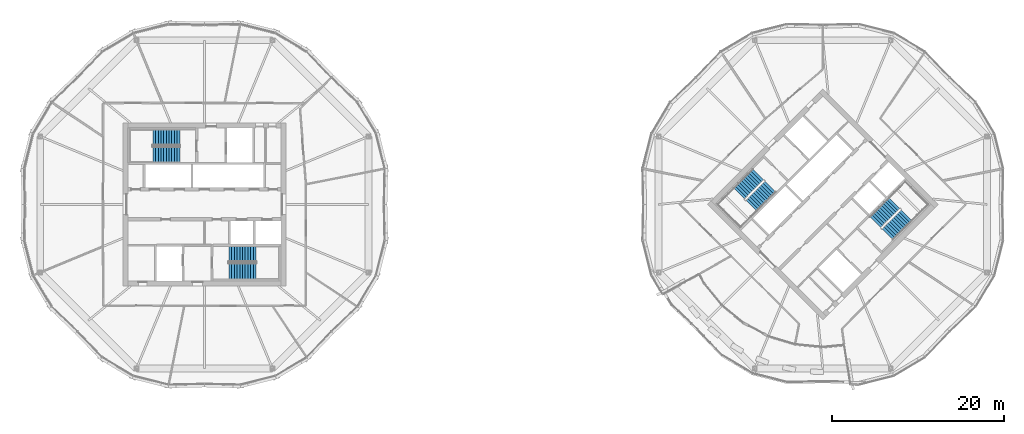
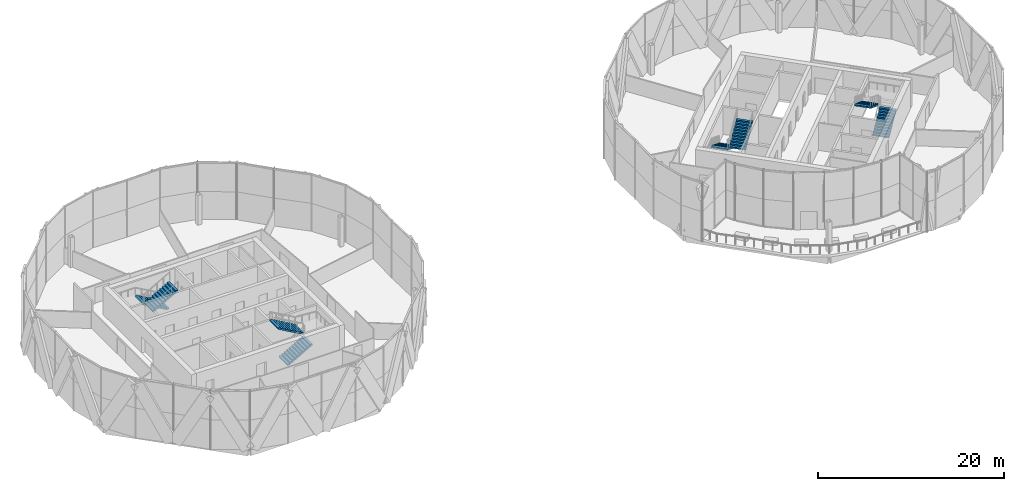
# One storey, part 22 of 26: 8 stair flights, 4 elements without a shape of their own.
"""IFC4 building model written with IfcOpenShell, lengths in metres."""

import ifcopenshell
import ifcopenshell.guid

model = None  # the IFC model being written
_history = None  # IfcOwnerHistory: only IFC2X3 demands one
_inside = {}  # id of a spatial element -> (the spatial element, [elements in it])
_under = {}  # id of a project, library or spatial element -> (it, [spatial elements below it])
_declared = {}  # id of a project -> (the project, [libraries it declares])
_typed = {}  # id of a type object -> (the type object, [elements of that type])
_made_of = {}  # id of a material, layer set ... -> (it, [elements and type objects made of it])


def new_model(schema):
    """Start an empty IFC model of exactly this schema.

    Asked for "IFC4X3", IfcOpenShell would pick the latest addendum, in which some entities
    have other attributes; the version numbers below select the first issue.
    IFC2X3 requires an IfcOwnerHistory on every rooted entity: one is made here for all.
    """
    global model, _history
    if schema == "IFC4X3":
        model = ifcopenshell.file(schema_version=(4, 3, 0, 0))
    else:
        model = ifcopenshell.file(schema=schema)
    _inside.clear()
    _under.clear()
    _declared.clear()
    _typed.clear()
    _made_of.clear()
    _history = None
    if model.schema == "IFC2X3":
        org = make("IfcOrganization", Name="unknown")
        user = make(
            "IfcPersonAndOrganization",
            ThePerson=make("IfcPerson", FamilyName="unknown"),
            TheOrganization=org,
        )
        app = make(
            "IfcApplication",
            ApplicationDeveloper=org,
            Version="unknown",
            ApplicationFullName="unknown",
            ApplicationIdentifier="unknown",
        )
        _history = make(
            "IfcOwnerHistory",
            OwningUser=user,
            OwningApplication=app,
            ChangeAction="ADDED",
            CreationDate=0,
        )
    return model


def make(cls, **values):
    """One entity of the class cls with the attributes given. An attribute that is None is left unset."""
    return model.create_entity(
        cls, **{name: value for name, value in values.items() if value is not None}
    )


def rooted(cls, **values):
    """An entity with a GlobalId (a new one), such as an element, a storey or a relation."""
    return make(cls, GlobalId=ifcopenshell.guid.new(), OwnerHistory=_history, **values)


def si_unit(unit_type, name, prefix=None):
    """IfcSIUnit, for example si_unit("LENGTHUNIT", "METRE", prefix="MILLI")."""
    return make("IfcSIUnit", UnitType=unit_type, Prefix=prefix, Name=name)


def assignment(units):
    """IfcUnitAssignment: the units of a project."""
    return None if units is None else make("IfcUnitAssignment", Units=units)


def point(xyz):
    """IfcCartesianPoint."""
    return None if xyz is None else make("IfcCartesianPoint", Coordinates=xyz)


def direction(xyz):
    """IfcDirection."""
    return None if xyz is None else make("IfcDirection", DirectionRatios=xyz)


def frame(location, z_axis=None, x_axis=None):
    """IfcAxis2Placement3D, a coordinate frame: its origin and axes. An axis left out is left unset."""
    return make(
        "IfcAxis2Placement3D",
        Location=point(location),
        Axis=direction(z_axis),
        RefDirection=direction(x_axis),
    )


def origin():
    """The frame at (0, 0, 0) with its axes left unset."""
    return frame((0.0, 0.0, 0.0))


def place(relative_to, where):
    """IfcLocalPlacement: puts the frame where relative to a parent placement (None: the world)."""
    return make(
        "IfcLocalPlacement", PlacementRelTo=relative_to, RelativePlacement=where
    )


def context(
    kind, dimensions, precision=None, world=None, true_north=None, identifier=None
):
    """IfcGeometricRepresentationContext, for example the 3D "Model" context."""
    return make(
        "IfcGeometricRepresentationContext",
        ContextIdentifier=identifier,
        ContextType=kind,
        CoordinateSpaceDimension=dimensions,
        Precision=precision,
        WorldCoordinateSystem=world,
        TrueNorth=true_north,
    )


def subcontext(parent, identifier, kind, view, scale=None):
    """IfcGeometricRepresentationSubContext, for example "Body" below "Model"."""
    return make(
        "IfcGeometricRepresentationSubContext",
        ContextIdentifier=identifier,
        ContextType=kind,
        ParentContext=parent,
        TargetScale=scale,
        TargetView=view,
    )


def project(units=None, contexts=None):
    """IfcProject with its units and contexts."""
    return rooted(
        "IfcProject",
        Name="project",
        RepresentationContexts=contexts,
        UnitsInContext=assignment(units),
    )


def spatial(cls, under=None, at=None, **own):
    """A site, building, storey or space (cls), placed at a placement, below another one or the project."""
    s = rooted(cls, ObjectPlacement=at, **own)
    if under is not None:
        _under.setdefault(under.id(), (under, []))[1].append(s)
    return s


def polyline(points):
    """IfcPolyline through the points."""
    return make("IfcPolyline", Points=[point(p) for p in points])


def outline(outer, holes=None, kind="AREA"):
    """IfcArbitraryClosedProfileDef: a profile drawn as a closed curve; with holes, ...WithVoids."""
    if holes is None:
        return make("IfcArbitraryClosedProfileDef", ProfileType=kind, OuterCurve=outer)
    return make(
        "IfcArbitraryProfileDefWithVoids",
        ProfileType=kind,
        OuterCurve=outer,
        InnerCurves=holes,
    )


def extrude(swept, where, along, depth):
    """IfcExtrudedAreaSolid: the profile swept, set in the frame where, extruded along a direction by depth."""
    return make(
        "IfcExtrudedAreaSolid",
        SweptArea=swept,
        Position=where,
        ExtrudedDirection=direction(along),
        Depth=depth,
    )


def shape(context_of_items, identifier, shape_type, items):
    """IfcShapeRepresentation: the items that make up one representation, for example the "Body"."""
    return make(
        "IfcShapeRepresentation",
        ContextOfItems=context_of_items,
        RepresentationIdentifier=identifier,
        RepresentationType=shape_type,
        Items=items,
    )


def material(Name=None, Category=None):
    """IfcMaterial."""
    return make("IfcMaterial", Name=Name, Category=Category)


def made_of(thing, what):
    """Note that an element or type object is made of a material, layer set ...; save() writes the relation."""
    if what is not None:
        _made_of.setdefault(what.id(), (what, []))[1].append(thing)
    return thing


def type_object(cls, material=None, **own):
    """A type object (cls), such as IfcWallType, which elements share."""
    return made_of(rooted(cls, **own), material)


def element(
    cls,
    number,
    at=None,
    inside=None,
    cuts=None,
    type_object=None,
    material=None,
    context=None,
    identifier="Body",
    shape_type=None,
    held_by="IfcProductDefinitionShape",
    body=None,
    shapes=None,
    **own,
):
    """One element of the class cls, such as IfcWall. Its Tag is "e" and its number.

    at: its placement. inside: the storey or other place that contains it. cuts: it is an
    opening in that element (IfcRelVoidsElement). A single representation is given by context,
    identifier, shape_type and body (its items); several are given by shapes. held_by: the class
    of the entity that holds the representations. save() writes the other relations.
    """
    e = rooted(cls, Tag="e%d" % number, ObjectPlacement=at, **own)
    if body is not None:
        shapes = [shape(context, identifier, shape_type, body)]
    if shapes is not None:
        e.Representation = make(held_by, Representations=shapes)
    if inside is not None:
        _inside.setdefault(inside.id(), (inside, []))[1].append(e)
    if cuts is not None:
        rooted(
            "IfcRelVoidsElement", RelatingBuildingElement=cuts, RelatedOpeningElement=e
        )
    if type_object is not None:
        _typed.setdefault(type_object.id(), (type_object, []))[1].append(e)
    return made_of(e, material)


def aggregate(whole, parts):
    """IfcRelAggregates: a whole, such as a stair, and the parts it consists of."""
    return rooted("IfcRelAggregates", RelatingObject=whole, RelatedObjects=parts)


def save(model, path):
    """Write the relations noted so far, then the file.

    IfcRelAggregates (storeys below a building ...), IfcRelContainedInSpatialStructure (elements
    in a storey), IfcRelDefinesByType, IfcRelAssociatesMaterial and IfcRelDeclares: one each for
    every whole, place, type object, material and project.
    """
    for whole, parts in _under.values():
        aggregate(whole, parts)
    for where, things in _inside.values():
        rooted(
            "IfcRelContainedInSpatialStructure",
            RelatedElements=things,
            RelatingStructure=where,
        )
    for kind, things in _typed.values():
        rooted("IfcRelDefinesByType", RelatedObjects=things, RelatingType=kind)
    for what, things in _made_of.values():
        rooted("IfcRelAssociatesMaterial", RelatedObjects=things, RelatingMaterial=what)
    for by, libraries in _declared.values():
        rooted("IfcRelDeclares", RelatingContext=by, RelatedDefinitions=libraries)
    model.write(path)


model = new_model("IFC4")

# Units and contexts
model_context = context("Model", 3, precision=1e-05, world=origin(), true_north=direction((0.0, 1.0)))
body_context = subcontext(model_context, "Body", "Model", "MODEL_VIEW")
ifc_project = project(units=[si_unit("LENGTHUNIT", "METRE"), si_unit("AREAUNIT", "SQUARE_METRE"), si_unit("VOLUMEUNIT", "CUBIC_METRE"), si_unit("PLANEANGLEUNIT", "RADIAN"), si_unit("MASSUNIT", "GRAM", prefix="KILO")], contexts=[model_context])

# Site, building, storey
site_placement = place(None, origin())
site = spatial("IfcSite", under=ifc_project, at=site_placement, CompositionType="ELEMENT")
building_placement = place(site_placement, origin())
building = spatial("IfcBuilding", under=site, at=building_placement, Name="Ogive Gate Towers", CompositionType="ELEMENT")
storey_placement = place(building_placement, frame((0.0, 0.0, 208.5)))
storey = spatial("IfcBuildingStorey", under=building, at=storey_placement, Name="L50", CompositionType="ELEMENT", Elevation=208.5)

# Stair, stair flights
ifc_material = material(Name="Concrete C40/50", Category="concrete")
stair_type = type_object("IfcStairType", Name="Escape stair 1840 wide", PredefinedType="HALF_TURN_STAIR", material=ifc_material)
stair_1_placement = place(storey_placement, origin())
stair_1 = element("IfcStair", 1, at=stair_1_placement, inside=storey, type_object=stair_type, Name="L50 Escape stair 1", PredefinedType="HALF_TURN_STAIR")
stair_flight_type = type_object("IfcStairFlightType", Name="Stair flight 1840 wide", PredefinedType="STRAIGHT", material=ifc_material)
stair_flight_1_placement = place(storey_placement, frame((-38.864990234375, 7.780029296875, 0.0), z_axis=(0.0, 0.0, 1.0), x_axis=(-1.0, 0.0, 0.0)))
stair_flight_1 = element("IfcStairFlight", 2, at=stair_flight_1_placement, type_object=stair_flight_type, Name="ST1 flight 1", NumberOfRisers=11, NumberOfTreads=10, PredefinedType="STRAIGHT", RiserHeight=0.177272727, TreadLength=0.313636364, context=body_context, shape_type="SweptSolid", body=[
    extrude(outline(polyline([(0.0, 0.0), (0.0, 0.17724609375), (0.313720703125, 0.17724609375), (0.313720703125, 0.3544921875), (0.627197265625, 0.3544921875), (0.627197265625, 0.53173828125), (0.94091796875, 0.53173828125), (0.94091796875, 0.708984375), (1.254638671875, 0.708984375), (1.254638671875, 0.886474609375), (1.568115234375, 0.886474609375), (1.568115234375, 1.063720703125), (1.8818359375, 1.063720703125), (1.8818359375, 1.240966796875), (2.195556640625, 1.240966796875), (2.195556640625, 1.418212890625), (2.509033203125, 1.418212890625), (2.509033203125, 1.595458984375), (2.82275390625, 1.595458984375), (2.82275390625, 1.772705078125), (3.136474609375, 1.772705078125), (3.136474609375, 1.949951171875), (3.136474609375, 1.6005859375), (0.3046875, 0.0), (0.0, 0.0)])), frame((0.0, 0.919921875, 0.0), z_axis=(0.0, -1.0, 0.0), x_axis=(1.0, 0.0, 0.0)), (0.0, 0.0, 1.0), 1.840087890625),
])
stair_flight_2_placement = place(storey_placement, frame((-42.00146484375, 5.794921875, 1.949951171875), z_axis=(0.0, 0.0, 1.0), x_axis=(1.0, 0.0, 0.0)))
stair_flight_2 = element("IfcStairFlight", 3, at=stair_flight_2_placement, type_object=stair_flight_type, Name="ST1 flight 2", NumberOfRisers=11, NumberOfTreads=10, PredefinedType="STRAIGHT", RiserHeight=0.177272727, TreadLength=0.313636364, context=body_context, shape_type="SweptSolid", body=[
    extrude(outline(polyline([(0.0, 0.0), (0.0, 0.17724609375), (0.313720703125, 0.17724609375), (0.313720703125, 0.3544921875), (0.627197265625, 0.3544921875), (0.627197265625, 0.53173828125), (0.94091796875, 0.53173828125), (0.94091796875, 0.708984375), (1.254638671875, 0.708984375), (1.254638671875, 0.886474609375), (1.568115234375, 0.886474609375), (1.568115234375, 1.063720703125), (1.8818359375, 1.063720703125), (1.8818359375, 1.240966796875), (2.195556640625, 1.240966796875), (2.195556640625, 1.418212890625), (2.509033203125, 1.418212890625), (2.509033203125, 1.595458984375), (2.82275390625, 1.595458984375), (2.82275390625, 1.772705078125), (3.136474609375, 1.772705078125), (3.136474609375, 1.949951171875), (3.136474609375, 1.6005859375), (0.3046875, 0.0), (0.0, 0.0)])), frame((0.0, 0.919921875, 0.0), z_axis=(0.0, -1.0, 0.0), x_axis=(1.0, 0.0, 0.0)), (0.0, 0.0, 1.0), 1.840087890625),
])
aggregate(stair_1, [stair_flight_1, stair_flight_2])

stair_2_placement = place(storey_placement, origin())
stair_2 = element("IfcStair", 4, at=stair_2_placement, inside=storey, type_object=stair_type, Name="L50 Escape stair 2", PredefinedType="HALF_TURN_STAIR")
stair_flight_3_placement = place(storey_placement, frame((-33.135009765625, -7.780029296875, 0.0), z_axis=(0.0, 0.0, 1.0), x_axis=(1.0, 0.0, 0.0)))
stair_flight_3 = element("IfcStairFlight", 5, at=stair_flight_3_placement, type_object=stair_flight_type, Name="ST2 flight 1", NumberOfRisers=11, NumberOfTreads=10, PredefinedType="STRAIGHT", RiserHeight=0.177272727, TreadLength=0.313636364, context=body_context, shape_type="SweptSolid", body=[
    extrude(outline(polyline([(0.0, 0.0), (0.0, 0.17724609375), (0.313720703125, 0.17724609375), (0.313720703125, 0.3544921875), (0.627197265625, 0.3544921875), (0.627197265625, 0.53173828125), (0.94091796875, 0.53173828125), (0.94091796875, 0.708984375), (1.254638671875, 0.708984375), (1.254638671875, 0.886474609375), (1.568115234375, 0.886474609375), (1.568115234375, 1.063720703125), (1.8818359375, 1.063720703125), (1.8818359375, 1.240966796875), (2.195556640625, 1.240966796875), (2.195556640625, 1.418212890625), (2.509033203125, 1.418212890625), (2.509033203125, 1.595458984375), (2.82275390625, 1.595458984375), (2.82275390625, 1.772705078125), (3.136474609375, 1.772705078125), (3.136474609375, 1.949951171875), (3.136474609375, 1.6005859375), (0.3046875, 0.0), (0.0, 0.0)])), frame((0.0, 0.919921875, 0.0), z_axis=(0.0, -1.0, 0.0), x_axis=(1.0, 0.0, 0.0)), (0.0, 0.0, 1.0), 1.840087890625),
])
stair_flight_4_placement = place(storey_placement, frame((-29.99853515625, -5.794921875, 1.949951171875), z_axis=(0.0, 0.0, 1.0), x_axis=(-1.0, 0.0, 0.0)))
stair_flight_4 = element("IfcStairFlight", 6, at=stair_flight_4_placement, type_object=stair_flight_type, Name="ST2 flight 2", NumberOfRisers=11, NumberOfTreads=10, PredefinedType="STRAIGHT", RiserHeight=0.177272727, TreadLength=0.313636364, context=body_context, shape_type="SweptSolid", body=[
    extrude(outline(polyline([(0.0, 0.0), (0.0, 0.17724609375), (0.313720703125, 0.17724609375), (0.313720703125, 0.3544921875), (0.627197265625, 0.3544921875), (0.627197265625, 0.53173828125), (0.94091796875, 0.53173828125), (0.94091796875, 0.708984375), (1.254638671875, 0.708984375), (1.254638671875, 0.886474609375), (1.568115234375, 0.886474609375), (1.568115234375, 1.063720703125), (1.8818359375, 1.063720703125), (1.8818359375, 1.240966796875), (2.195556640625, 1.240966796875), (2.195556640625, 1.418212890625), (2.509033203125, 1.418212890625), (2.509033203125, 1.595458984375), (2.82275390625, 1.595458984375), (2.82275390625, 1.772705078125), (3.136474609375, 1.772705078125), (3.136474609375, 1.949951171875), (3.136474609375, 1.6005859375), (0.3046875, 0.0), (0.0, 0.0)])), frame((0.0, 0.919921875, 0.0), z_axis=(0.0, -1.0, 0.0), x_axis=(1.0, 0.0, 0.0)), (0.0, 0.0, 1.0), 1.840087890625),
])
aggregate(stair_2, [stair_flight_3, stair_flight_4])

stair_3_placement = place(storey_placement, origin())
stair_3 = element("IfcStair", 7, at=stair_3_placement, inside=storey, type_object=stair_type, Name="L50 Escape stair 1", PredefinedType="HALF_TURN_STAIR")
stair_flight_5_placement = place(storey_placement, frame((28.472900390625, 3.475341796875, 0.0), z_axis=(0.0, 0.0, 1.0), x_axis=(-0.707106781187, -0.707106781187, 0.0)))
stair_flight_5 = element("IfcStairFlight", 8, at=stair_flight_5_placement, type_object=stair_flight_type, Name="ST1 flight 1", NumberOfRisers=11, NumberOfTreads=10, PredefinedType="STRAIGHT", RiserHeight=0.177272727, TreadLength=0.313636364, context=body_context, shape_type="SweptSolid", body=[
    extrude(outline(polyline([(0.0, 0.0), (0.0, 0.17724609375), (0.313720703125, 0.17724609375), (0.313720703125, 0.3544921875), (0.627197265625, 0.3544921875), (0.627197265625, 0.53173828125), (0.94091796875, 0.53173828125), (0.94091796875, 0.708984375), (1.254638671875, 0.708984375), (1.254638671875, 0.886474609375), (1.568115234375, 0.886474609375), (1.568115234375, 1.063720703125), (1.8818359375, 1.063720703125), (1.8818359375, 1.240966796875), (2.195556640625, 1.240966796875), (2.195556640625, 1.418212890625), (2.509033203125, 1.418212890625), (2.509033203125, 1.595458984375), (2.82275390625, 1.595458984375), (2.82275390625, 1.772705078125), (3.136474609375, 1.772705078125), (3.136474609375, 1.949951171875), (3.136474609375, 1.6005859375), (0.3046875, 0.0), (0.0, 0.0)])), frame((0.0, 0.919921875, 0.0), z_axis=(0.0, -1.0, 0.0), x_axis=(1.0, 0.0, 0.0)), (0.0, 0.0, 1.0), 1.840087890625),
])
stair_flight_6_placement = place(storey_placement, frame((27.65869140625, -0.14599609375, 1.949951171875), z_axis=(0.0, 0.0, 1.0), x_axis=(0.707106781187, 0.707106781187, 0.0)))
stair_flight_6 = element("IfcStairFlight", 9, at=stair_flight_6_placement, type_object=stair_flight_type, Name="ST1 flight 2", NumberOfRisers=11, NumberOfTreads=10, PredefinedType="STRAIGHT", RiserHeight=0.177272727, TreadLength=0.313636364, context=body_context, shape_type="SweptSolid", body=[
    extrude(outline(polyline([(0.0, 0.0), (0.0, 0.17724609375), (0.313720703125, 0.17724609375), (0.313720703125, 0.3544921875), (0.627197265625, 0.3544921875), (0.627197265625, 0.53173828125), (0.94091796875, 0.53173828125), (0.94091796875, 0.708984375), (1.254638671875, 0.708984375), (1.254638671875, 0.886474609375), (1.568115234375, 0.886474609375), (1.568115234375, 1.063720703125), (1.8818359375, 1.063720703125), (1.8818359375, 1.240966796875), (2.195556640625, 1.240966796875), (2.195556640625, 1.418212890625), (2.509033203125, 1.418212890625), (2.509033203125, 1.595458984375), (2.82275390625, 1.595458984375), (2.82275390625, 1.772705078125), (3.136474609375, 1.772705078125), (3.136474609375, 1.949951171875), (3.136474609375, 1.6005859375), (0.3046875, 0.0), (0.0, 0.0)])), frame((0.0, 0.919921875, 0.0), z_axis=(0.0, -1.0, 0.0), x_axis=(1.0, 0.0, 0.0)), (0.0, 0.0, 1.0), 1.840087890625),
])
aggregate(stair_3, [stair_flight_5, stair_flight_6])

stair_4_placement = place(storey_placement, origin())
stair_4 = element("IfcStair", 10, at=stair_4_placement, inside=storey, type_object=stair_type, Name="L50 Escape stair 2", PredefinedType="HALF_TURN_STAIR")
stair_flight_7_placement = place(storey_placement, frame((43.527099609375, -3.475341796875, 0.0), z_axis=(0.0, 0.0, 1.0), x_axis=(0.707106781187, 0.707106781187, 0.0)))
stair_flight_7 = element("IfcStairFlight", 11, at=stair_flight_7_placement, type_object=stair_flight_type, Name="ST2 flight 1", NumberOfRisers=11, NumberOfTreads=10, PredefinedType="STRAIGHT", RiserHeight=0.177272727, TreadLength=0.313636364, context=body_context, shape_type="SweptSolid", body=[
    extrude(outline(polyline([(0.0, 0.0), (0.0, 0.17724609375), (0.313720703125, 0.17724609375), (0.313720703125, 0.3544921875), (0.627197265625, 0.3544921875), (0.627197265625, 0.53173828125), (0.94091796875, 0.53173828125), (0.94091796875, 0.708984375), (1.254638671875, 0.708984375), (1.254638671875, 0.886474609375), (1.568115234375, 0.886474609375), (1.568115234375, 1.063720703125), (1.8818359375, 1.063720703125), (1.8818359375, 1.240966796875), (2.195556640625, 1.240966796875), (2.195556640625, 1.418212890625), (2.509033203125, 1.418212890625), (2.509033203125, 1.595458984375), (2.82275390625, 1.595458984375), (2.82275390625, 1.772705078125), (3.136474609375, 1.772705078125), (3.136474609375, 1.949951171875), (3.136474609375, 1.6005859375), (0.3046875, 0.0), (0.0, 0.0)])), frame((0.0, 0.919921875, 0.0), z_axis=(0.0, -1.0, 0.0), x_axis=(1.0, 0.0, 0.0)), (0.0, 0.0, 1.0), 1.840087890625),
])
stair_flight_8_placement = place(storey_placement, frame((44.34130859375, 0.14599609375, 1.949951171875), z_axis=(0.0, 0.0, 1.0), x_axis=(-0.707106781187, -0.707106781187, 0.0)))
stair_flight_8 = element("IfcStairFlight", 12, at=stair_flight_8_placement, type_object=stair_flight_type, Name="ST2 flight 2", NumberOfRisers=11, NumberOfTreads=10, PredefinedType="STRAIGHT", RiserHeight=0.177272727, TreadLength=0.313636364, context=body_context, shape_type="SweptSolid", body=[
    extrude(outline(polyline([(0.0, 0.0), (0.0, 0.17724609375), (0.313720703125, 0.17724609375), (0.313720703125, 0.3544921875), (0.627197265625, 0.3544921875), (0.627197265625, 0.53173828125), (0.94091796875, 0.53173828125), (0.94091796875, 0.708984375), (1.254638671875, 0.708984375), (1.254638671875, 0.886474609375), (1.568115234375, 0.886474609375), (1.568115234375, 1.063720703125), (1.8818359375, 1.063720703125), (1.8818359375, 1.240966796875), (2.195556640625, 1.240966796875), (2.195556640625, 1.418212890625), (2.509033203125, 1.418212890625), (2.509033203125, 1.595458984375), (2.82275390625, 1.595458984375), (2.82275390625, 1.772705078125), (3.136474609375, 1.772705078125), (3.136474609375, 1.949951171875), (3.136474609375, 1.6005859375), (0.3046875, 0.0), (0.0, 0.0)])), frame((0.0, 0.919921875, 0.0), z_axis=(0.0, -1.0, 0.0), x_axis=(1.0, 0.0, 0.0)), (0.0, 0.0, 1.0), 1.840087890625),
])
aggregate(stair_4, [stair_flight_7, stair_flight_8])

save(model, "model.ifc")
